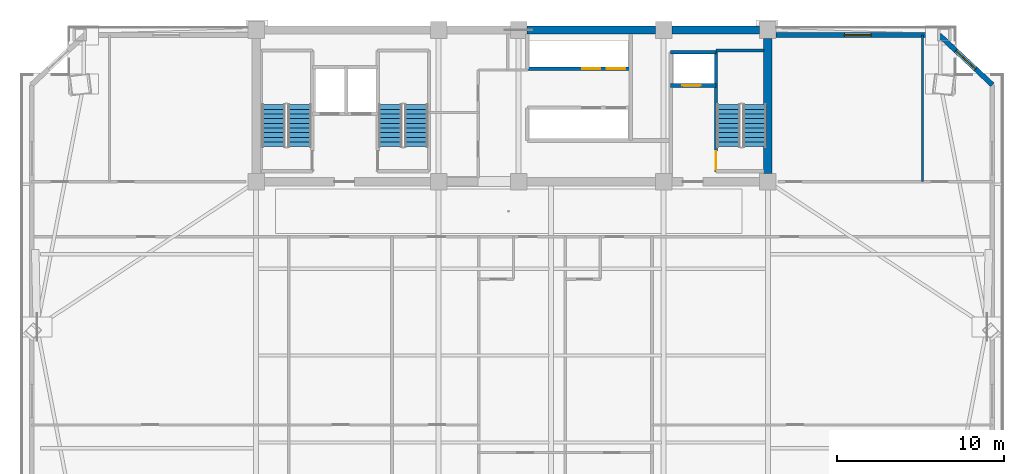
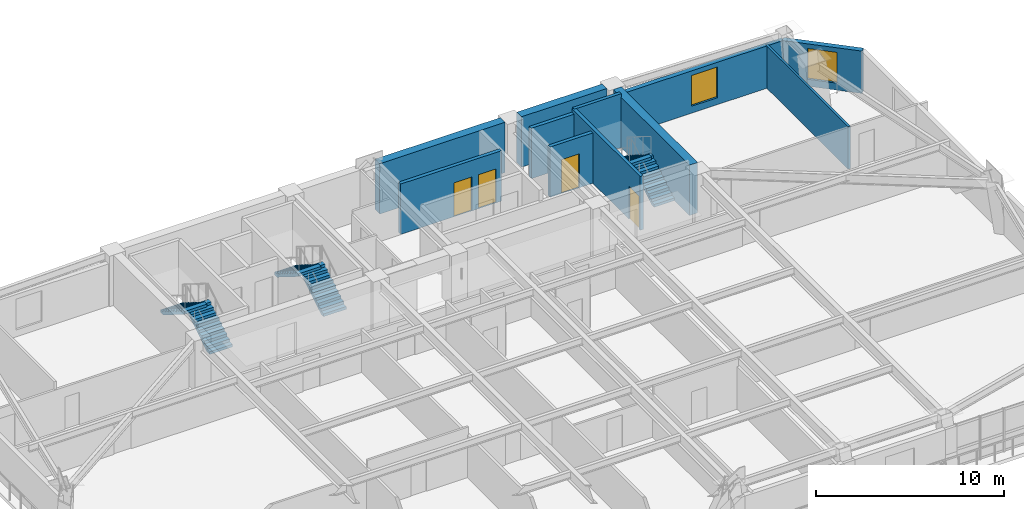
# One storey, part 10 of 16: 11 walls, 6 stair flights, 4 doors, 2 windows, 6 openings, 3 elements without a shape of their own.
"""IFC4 building model written with IfcOpenShell, lengths in metres."""

from ifc_helpers import new_model, si_unit, direction, frame, frame_2d, origin, place, context, subcontext, project, spatial, polyline, rectangle, outline, extrude, source, transform, mapped, material, layer, layer_set, type_object, element, fill, aggregate, save


model = new_model("IFC4")

# Units and contexts
model_context = context("Model", 3, precision=1e-05, world=origin(), true_north=direction((0.0, 1.0)))
body_context = subcontext(model_context, "Body", "Model", "MODEL_VIEW")
ifc_project = project(units=[si_unit("LENGTHUNIT", "METRE"), si_unit("AREAUNIT", "SQUARE_METRE"), si_unit("VOLUMEUNIT", "CUBIC_METRE"), si_unit("PLANEANGLEUNIT", "RADIAN"), si_unit("MASSUNIT", "GRAM", prefix="KILO")], contexts=[model_context])

# Site, building, storey
site_placement = place(None, origin())
site = spatial("IfcSite", under=ifc_project, at=site_placement, CompositionType="ELEMENT")
building_placement = place(site_placement, origin())
building = spatial("IfcBuilding", under=site, at=building_placement, Name="Giltprow Tower", CompositionType="ELEMENT")
storey_placement = place(building_placement, frame((0.0, 0.0, 199.199951171875)))
storey = spatial("IfcBuildingStorey", under=building, at=storey_placement, Name="L50", CompositionType="ELEMENT", Elevation=199.199951171875)

# Wall, opening, window
ifc_material_1 = material(Name="Precast concrete C40", Category="concrete")
ifc_layer_1 = layer(ifc_material_1, 0.300048828125, Name="Precast concrete C40")
ifc_layer_set_1 = layer_set([ifc_layer_1], Name="Precast concrete C40")
wall_type_1 = type_object("IfcWallType", Name="EW-NOTCH-CHAMFER-300", PredefinedType="SOLIDWALL", material=ifc_layer_set_1)
wall_1_placement = place(storey_placement, frame((64.011962890625, 43.264892578125, 0.0), z_axis=(0.0, 0.0, 1.0), x_axis=(-0.729638355144, 0.683833218484, 0.0)))
wall_1 = element("IfcWall", 1, at=wall_1_placement, inside=storey, type_object=wall_type_1, Name="L50 Corner Notch Wall NE", PredefinedType="SOLIDWALL", context=body_context, shape_type="SweptSolid", body=[
    extrude(rectangle(XDim=4.365234375, YDim=0.300048828125, at=frame_2d((2.1826171875, 0.0))), origin(), (0.0, 0.0, 1.0), 2.75),
])
opening_1_placement = place(wall_1_placement, frame((1.383056640625, 0.0, 0.449951171875)))
opening_1 = element("IfcOpeningElement", 2, at=opening_1_placement, cuts=wall_1, Name="Opening WN17", PredefinedType="OPENING", context=body_context, shape_type="SweptSolid", body=[
    extrude(rectangle(XDim=1.60009765625, YDim=2.0, at=frame_2d((0.800048828125, 1.0))), frame((0.0, 0.159912109375, 0.0), z_axis=(0.0, -1.0, 0.0), x_axis=(1.0, 0.0, 0.0)), (0.0, 0.0, 1.0), 0.320068359375),
])
ifc_material_2 = material(Name="Insulated glass", Category="glass")
window_type = type_object("IfcWindowType", Name="WN-COR-1600x2000", PartitioningType="SINGLE_PANEL", PredefinedType="WINDOW", material=ifc_material_2)
shared_shape_1 = source(origin(), body_context, "Body", "SweptSolid", [
    extrude(rectangle(XDim=1.60009765625, YDim=2.0, at=frame_2d((0.800048828125, 1.0))), frame((0.0, 0.030029296875, 0.0), z_axis=(0.0, -1.0, 0.0), x_axis=(1.0, 0.0, 0.0)), (0.0, 0.0, 1.0), 0.06005859375),
])
window_1_placement = place(opening_1_placement, origin())
window_1 = element("IfcWindow", 3, at=window_1_placement, inside=storey, type_object=window_type, Name="L50 Corner Notch Window NE", OverallHeight=2.0, OverallWidth=1.60009765625, PartitioningType="SINGLE_PANEL", PredefinedType="WINDOW", context=body_context, shape_type="MappedRepresentation", body=[
    mapped(shared_shape_1, transform((0.0, 0.0, 0.0), x_axis=(1.0, 0.0, 0.0), y_axis=(0.0, 1.0, 0.0), z_axis=(0.0, 0.0, 1.0), scale=1.0)),
])
fill(opening_1, window_1)

ifc_layer_2 = layer(ifc_material_1, 0.280029296875, Name="Precast concrete C40")
ifc_layer_set_2 = layer_set([ifc_layer_2], Name="Precast concrete C40")
wall_type_2 = type_object("IfcWallType", Name="EW-TOW-BRONZE-280", PredefinedType="SOLIDWALL", material=ifc_layer_set_2)
wall_2_placement = place(storey_placement, frame((51.050048828125, 46.25, 0.0), z_axis=(0.0, 0.0, 1.0), x_axis=(1.0, 0.0, 0.0)))
wall_2 = element("IfcWall", 4, at=wall_2_placement, inside=storey, type_object=wall_type_2, Name="L50 North-East Wing Wall", PredefinedType="SOLIDWALL", context=body_context, shape_type="SweptSolid", body=[
    extrude(rectangle(XDim=9.77685546875, YDim=0.280029296875, at=frame_2d((4.888427734375, 0.0))), origin(), (0.0, 0.0, 1.0), 2.75),
])
opening_2_placement = place(wall_2_placement, frame((4.089111328125, 0.0, 0.449951171875)))
opening_2 = element("IfcOpeningElement", 5, at=opening_2_placement, cuts=wall_2, Name="Opening WN17", PredefinedType="OPENING", context=body_context, shape_type="SweptSolid", body=[
    extrude(rectangle(XDim=1.60009765625, YDim=2.0, at=frame_2d((0.800048828125, 1.0))), frame((0.0, 0.14990234375, 0.0), z_axis=(0.0, -1.0, 0.0), x_axis=(1.0, 0.0, 0.0)), (0.0, 0.0, 1.0), 0.300048828125),
])
window_2_placement = place(opening_2_placement, origin())
window_2 = element("IfcWindow", 6, at=window_2_placement, inside=storey, type_object=window_type, Name="L50 North-East Window", OverallHeight=2.0, OverallWidth=1.60009765625, PartitioningType="SINGLE_PANEL", PredefinedType="WINDOW", context=body_context, shape_type="MappedRepresentation", body=[
    mapped(shared_shape_1, transform((0.0, 0.0, 0.0), x_axis=(1.0, 0.0, 0.0), y_axis=(0.0, 1.0, 0.0), z_axis=(0.0, 0.0, 1.0), scale=1.0)),
])
fill(opening_2, window_2)

# Wall, opening, door
ifc_material_3 = material(Name="Concrete C40", Category="concrete")
ifc_layer_3 = layer(ifc_material_3, 0.219970703125, Name="Concrete C40")
ifc_layer_set_3 = layer_set([ifc_layer_3], Name="Concrete C40")
wall_type_3 = type_object("IfcWallType", Name="IW-SHAFT-220", PredefinedType="SOLIDWALL", material=ifc_layer_set_3)
wall_3_placement = place(storey_placement, frame((44.719970703125, 43.219970703125, 0.0), z_axis=(0.0, 0.0, 1.0), x_axis=(1.0, 0.0, 0.0)))
wall_3 = element("IfcWall", 7, at=wall_3_placement, inside=storey, type_object=wall_type_3, Name="L50 FFL2 Front Shaft Wall", PredefinedType="SOLIDWALL", context=body_context, shape_type="SweptSolid", body=[
    extrude(rectangle(XDim=2.719970703125, YDim=0.219970703125, at=frame_2d((1.35986328125, 0.0))), origin(), (0.0, 0.0, 1.0), 3.27001953125),
])
opening_3_placement = place(wall_3_placement, frame((0.699951171875, 0.0, 0.0)))
opening_3 = element("IfcOpeningElement", 8, at=opening_3_placement, cuts=wall_3, Name="Opening LD-11", PredefinedType="OPENING", context=body_context, shape_type="SweptSolid", body=[
    extrude(rectangle(XDim=1.10009765625, YDim=2.199951171875, at=frame_2d((0.550048828125, 1.10009765625))), frame((0.0, 0.119873046875, 0.0), z_axis=(0.0, -1.0, 0.0), x_axis=(1.0, 0.0, 0.0)), (0.0, 0.0, 1.0), 0.239990234375),
])
ifc_material_4 = material(Name="Stainless steel", Category="steel")
door_type_1 = type_object("IfcDoorType", Name="DR-LIFT-LD1100", OperationType="SLIDING_TO_LEFT", PredefinedType="DOOR", material=ifc_material_4)
shared_shape_2 = source(origin(), body_context, "Body", "SweptSolid", [
    extrude(rectangle(XDim=1.10009765625, YDim=2.199951171875, at=frame_2d((0.550048828125, 1.10009765625))), frame((0.0, 0.02490234375, 0.0), z_axis=(0.0, -1.0, 0.0), x_axis=(1.0, 0.0, 0.0)), (0.0, 0.0, 1.0), 0.050048828125),
])
door_1_placement = place(opening_3_placement, origin())
door_1 = element("IfcDoor", 9, at=door_1_placement, inside=storey, type_object=door_type_1, Name="L50 FFL2 Landing Door", OperationType="SLIDING_TO_LEFT", OverallHeight=2.199951171875, OverallWidth=1.10009765625, PredefinedType="DOOR", context=body_context, shape_type="MappedRepresentation", body=[
    mapped(shared_shape_2, transform((0.0, 0.0, 0.0), x_axis=(1.0, 0.0, 0.0), y_axis=(0.0, 1.0, 0.0), z_axis=(0.0, 0.0, 1.0), scale=1.0)),
])
fill(opening_3, door_1)

# Wall
wall_4_placement = place(storey_placement, frame((44.719970703125, 45.219970703125, 0.0), z_axis=(0.0, 0.0, 1.0), x_axis=(1.0, 0.0, 0.0)))
element("IfcWall", 10, at=wall_4_placement, inside=storey, type_object=wall_type_3, Name="L50 FFL2 Back Shaft Wall", PredefinedType="SOLIDWALL", context=body_context, shape_type="SweptSolid", body=[
    extrude(rectangle(XDim=2.719970703125, YDim=0.219970703125, at=frame_2d((1.35986328125, 0.0))), origin(), (0.0, 0.0, 1.0), 3.27001953125),
])

# Wall, openings, doors
wall_5_placement = place(storey_placement, frame((36.1201171875, 44.219970703125, 0.0), z_axis=(0.0, 0.0, 1.0), x_axis=(1.0, 0.0, 0.0)))
wall_5 = element("IfcWall", 11, at=wall_5_placement, inside=storey, type_object=wall_type_3, Name="L50 Mid-Rise Lift Shaft Front Wall N", PredefinedType="SOLIDWALL", context=body_context, shape_type="SweptSolid", body=[
    extrude(rectangle(XDim=6.199951171875, YDim=0.219970703125, at=frame_2d((3.10009765625, 0.0))), origin(), (0.0, 0.0, 1.0), 3.27001953125),
])
opening_4_placement = place(wall_5_placement, frame((3.280029296875, 0.0, 0.0)))
opening_4 = element("IfcOpeningElement", 12, at=opening_4_placement, cuts=wall_5, Name="Opening LD-11", PredefinedType="OPENING", context=body_context, shape_type="SweptSolid", body=[
    extrude(rectangle(XDim=1.10009765625, YDim=2.199951171875, at=frame_2d((0.550048828125, 1.10009765625))), frame((0.0, 0.119873046875, 0.0), z_axis=(0.0, -1.0, 0.0), x_axis=(1.0, 0.0, 0.0)), (0.0, 0.0, 1.0), 0.239990234375),
])
opening_5_placement = place(wall_5_placement, frame((4.77001953125, 0.0, 0.0)))
opening_5 = element("IfcOpeningElement", 13, at=opening_5_placement, cuts=wall_5, Name="Opening LD-11", PredefinedType="OPENING", context=body_context, shape_type="SweptSolid", body=[
    extrude(rectangle(XDim=1.10009765625, YDim=2.199951171875, at=frame_2d((0.550048828125, 1.10009765625))), frame((0.0, 0.119873046875, 0.0), z_axis=(0.0, -1.0, 0.0), x_axis=(1.0, 0.0, 0.0)), (0.0, 0.0, 1.0), 0.239990234375),
])
door_2_placement = place(opening_4_placement, origin())
door_2 = element("IfcDoor", 14, at=door_2_placement, inside=storey, type_object=door_type_1, Name="L50 PL-M1 Landing Door", OperationType="SLIDING_TO_LEFT", OverallHeight=2.199951171875, OverallWidth=1.10009765625, PredefinedType="DOOR", context=body_context, shape_type="MappedRepresentation", body=[
    mapped(shared_shape_2, transform((0.0, 0.0, 0.0), x_axis=(1.0, 0.0, 0.0), y_axis=(0.0, 1.0, 0.0), z_axis=(0.0, 0.0, 1.0), scale=1.0)),
])
fill(opening_4, door_2)
door_3_placement = place(opening_5_placement, origin())
door_3 = element("IfcDoor", 15, at=door_3_placement, inside=storey, type_object=door_type_1, Name="L50 PL-M2 Landing Door", OperationType="SLIDING_TO_LEFT", OverallHeight=2.199951171875, OverallWidth=1.10009765625, PredefinedType="DOOR", context=body_context, shape_type="MappedRepresentation", body=[
    mapped(shared_shape_2, transform((0.0, 0.0, 0.0), x_axis=(1.0, 0.0, 0.0), y_axis=(0.0, 1.0, 0.0), z_axis=(0.0, 0.0, 1.0), scale=1.0)),
])
fill(opening_5, door_3)

# Wall, opening, door
ifc_layer_4 = layer(ifc_material_3, 0.199951171875, Name="Concrete C40")
ifc_layer_set_4 = layer_set([ifc_layer_4], Name="Concrete C40")
wall_type_4 = type_object("IfcWallType", Name="IW-STAIR-200", PredefinedType="SOLIDWALL", material=ifc_layer_set_4)
wall_6_placement = place(storey_placement, frame((47.43994140625, 38.070068359375, 0.0), z_axis=(0.0, 0.0, 1.0), x_axis=(0.0, 1.0, 0.0)))
wall_6 = element("IfcWall", 16, at=wall_6_placement, inside=storey, type_object=wall_type_4, Name="L50 Stair ST-3 West Bearing Wall", PredefinedType="SOLIDWALL", context=body_context, shape_type="SweptSolid", body=[
    extrude(rectangle(XDim=7.25, YDim=0.199951171875, at=frame_2d((3.625, 0.0))), origin(), (0.0, 0.0, 1.0), 3.5),
])
opening_6_placement = place(wall_6_placement, frame((0.110107421875, 0.0, 0.0)))
opening_6 = element("IfcOpeningElement", 17, at=opening_6_placement, cuts=wall_6, Name="Opening ID33", PredefinedType="OPENING", context=body_context, shape_type="SweptSolid", body=[
    extrude(rectangle(XDim=1.10009765625, YDim=2.14990234375, at=frame_2d((0.550048828125, 1.074951171875))), frame((0.0, 0.10986328125, 0.0), z_axis=(0.0, -1.0, 0.0), x_axis=(1.0, 0.0, 0.0)), (0.0, 0.0, 1.0), 0.219970703125),
])
ifc_material_5 = material(Name="Steel fire leaf", Category="steel")
door_type_2 = type_object("IfcDoorType", Name="DR-STAIR-1100", OperationType="SINGLE_SWING_LEFT", PredefinedType="DOOR", material=ifc_material_5)
shared_shape_3 = source(origin(), body_context, "Body", "SweptSolid", [
    extrude(rectangle(XDim=1.10009765625, YDim=2.14990234375, at=frame_2d((0.550048828125, 1.074951171875))), frame((0.0, 0.02490234375, 0.0), z_axis=(0.0, -1.0, 0.0), x_axis=(1.0, 0.0, 0.0)), (0.0, 0.0, 1.0), 0.050048828125),
])
door_4_placement = place(opening_6_placement, origin())
door_4 = element("IfcDoor", 18, at=door_4_placement, inside=storey, type_object=door_type_2, Name="L50 Stair ST-3 Fire Door", OperationType="SINGLE_SWING_RIGHT", OverallHeight=2.14990234375, OverallWidth=1.10009765625, PredefinedType="DOOR", context=body_context, shape_type="MappedRepresentation", body=[
    mapped(shared_shape_3, transform((0.0, 0.0, 0.0), x_axis=(1.0, 0.0, 0.0), y_axis=(0.0, 1.0, 0.0), z_axis=(0.0, 0.0, 1.0), scale=1.0)),
])
fill(opening_6, door_4)

# Walls
wall_7_placement = place(storey_placement, frame((47.43994140625, 45.320068359375, 0.0), z_axis=(0.0, 0.0, 1.0), x_axis=(1.0, 0.0, 0.0)))
element("IfcWall", 19, at=wall_7_placement, inside=storey, type_object=wall_type_4, Name="L50 Stair ST-3 North Bearing Wall", PredefinedType="SOLIDWALL", context=body_context, shape_type="SweptSolid", body=[
    extrude(rectangle(XDim=2.880126953125, YDim=0.199951171875, at=frame_2d((1.43994140625, 0.0))), origin(), (0.0, 0.0, 1.0), 3.5),
])
ifc_material_6 = material(Name="Concrete C30", Category="concrete")
ifc_layer_5 = layer(ifc_material_6, 0.1298828125, Name="Concrete C30")
ifc_layer_set_5 = layer_set([ifc_layer_5], Name="Concrete C30")
wall_type_5 = type_object("IfcWallType", Name="IW-WET-130", PredefinedType="PARTITIONING", material=ifc_layer_set_5)
wall_8_placement = place(storey_placement, frame((59.823974609375, 37.449951171875, 0.0), z_axis=(0.0, 0.0, 1.0), x_axis=(0.0, 1.0, 0.0)))
element("IfcWall", 20, at=wall_8_placement, inside=storey, type_object=wall_type_5, Name="L50 NE Wing Divider", PredefinedType="PARTITIONING", context=body_context, shape_type="SweptSolid", body=[
    extrude(rectangle(XDim=8.800048828125, YDim=0.1298828125, at=frame_2d((4.39990234375, 0.0))), origin(), (0.0, 0.0, 1.0), 2.755126953125),
])
ifc_material_7 = material(Name="Concrete C50", Category="concrete")
ifc_layer_6 = layer(ifc_material_7, 0.5, Name="Concrete C50")
ifc_layer_set_6 = layer_set([ifc_layer_6], Name="Concrete C50")
wall_type_6 = type_object("IfcWallType", Name="SW-EXT-500-C50", PredefinedType="SHEAR", material=ifc_layer_set_6)
wall_9_placement = place(storey_placement, frame((36.10009765625, 46.550048828125, 0.0), z_axis=(0.0, 0.0, 1.0), x_axis=(1.0, 0.0, 0.0)))
element("IfcWall", 21, at=wall_9_placement, inside=storey, type_object=wall_type_6, Name="L50 North Rear Core Shear Wall 3", PredefinedType="SHEAR", context=body_context, shape_type="SweptSolid", body=[
    extrude(rectangle(XDim=7.699951171875, YDim=0.5, at=frame_2d((3.85009765625, 0.0))), origin(), (0.0, 0.0, 1.0), 3.27001953125),
])
wall_10_placement = place(storey_placement, frame((44.800048828125, 46.550048828125, 0.0), z_axis=(0.0, 0.0, 1.0), x_axis=(1.0, 0.0, 0.0)))
element("IfcWall", 22, at=wall_10_placement, inside=storey, type_object=wall_type_6, Name="L50 North Rear Core Shear Wall 4", PredefinedType="SHEAR", context=body_context, shape_type="SweptSolid", body=[
    extrude(rectangle(XDim=5.25, YDim=0.5, at=frame_2d((2.625, 0.0))), origin(), (0.0, 0.0, 1.0), 3.27001953125),
])
ifc_layer_7 = layer(ifc_material_7, 0.5, Name="Concrete C50")
ifc_layer_set_7 = layer_set([ifc_layer_7], Name="Concrete C50")
wall_type_7 = type_object("IfcWallType", Name="SW-INT-500-C50", PredefinedType="SHEAR", material=ifc_layer_set_7)
wall_11_placement = place(storey_placement, frame((50.550048828125, 37.949951171875, 0.0), z_axis=(0.0, 0.0, 1.0), x_axis=(0.0, 1.0, 0.0)))
element("IfcWall", 23, at=wall_11_placement, inside=storey, type_object=wall_type_7, Name="L50 E Rear Core Shear Wall", PredefinedType="SHEAR", context=body_context, shape_type="SweptSolid", body=[
    extrude(rectangle(XDim=8.10009765625, YDim=0.5, at=frame_2d((4.050048828125, 0.0))), origin(), (0.0, 0.0, 1.0), 3.27001953125),
])

# Stair, stair flights
stair_type_1 = type_object("IfcStairType", Name="STR-ST-1", PredefinedType="HALF_TURN_STAIR", material=ifc_material_3)
stair_1_placement = place(storey_placement, origin())
stair_1 = element("IfcStair", 24, at=stair_1_placement, inside=storey, type_object=stair_type_1, Name="L50 Core Exit Stair ST-1", PredefinedType="HALF_TURN_STAIR")
stair_flight_type_1 = type_object("IfcStairFlightType", Name="SFL-ST-1", PredefinedType="STRAIGHT", material=ifc_material_3)
stair_flight_1_placement = place(storey_placement, frame((22.4599609375, 39.550048828125, 0.0), z_axis=(0.0, 0.0, 1.0), x_axis=(0.0, 1.0, 0.0)))
stair_flight_1 = element("IfcStairFlight", 25, at=stair_flight_1_placement, type_object=stair_flight_type_1, Name="ST-1 flight 1", NumberOfRisers=10, NumberOfTreads=9, PredefinedType="STRAIGHT", RiserHeight=0.175, TreadLength=0.28, context=body_context, shape_type="SweptSolid", body=[
    extrude(outline(polyline([(0.0, 0.0), (0.0, 0.175048828125), (0.280029296875, 0.175048828125), (0.280029296875, 0.35009765625), (0.56005859375, 0.35009765625), (0.56005859375, 0.52490234375), (0.840087890625, 0.52490234375), (0.840087890625, 0.699951171875), (1.1201171875, 0.699951171875), (1.1201171875, 0.875), (1.39990234375, 0.875), (1.39990234375, 1.050048828125), (1.679931640625, 1.050048828125), (1.679931640625, 1.22509765625), (1.9599609375, 1.22509765625), (1.9599609375, 1.39990234375), (2.239990234375, 1.39990234375), (2.239990234375, 1.574951171875), (2.52001953125, 1.574951171875), (2.52001953125, 1.75), (2.52001953125, 1.398193359375), (0.28271484375, 0.0), (0.0, 0.0)])), frame((0.0, 0.699951171875, 0.0), z_axis=(0.0, -1.0, 0.0), x_axis=(1.0, 0.0, 0.0)), (0.0, 0.0, 1.0), 1.39990234375),
])
stair_flight_2_placement = place(storey_placement, frame((20.89990234375, 42.070068359375, 1.75), z_axis=(0.0, 0.0, 1.0), x_axis=(0.0, -1.0, 0.0)))
stair_flight_2 = element("IfcStairFlight", 26, at=stair_flight_2_placement, type_object=stair_flight_type_1, Name="ST-1 flight 2", NumberOfRisers=10, NumberOfTreads=9, PredefinedType="STRAIGHT", RiserHeight=0.175, TreadLength=0.28, context=body_context, shape_type="SweptSolid", body=[
    extrude(outline(polyline([(0.0, 0.0), (0.0, 0.175048828125), (0.280029296875, 0.175048828125), (0.280029296875, 0.35009765625), (0.56005859375, 0.35009765625), (0.56005859375, 0.52490234375), (0.840087890625, 0.52490234375), (0.840087890625, 0.699951171875), (1.1201171875, 0.699951171875), (1.1201171875, 0.875), (1.39990234375, 0.875), (1.39990234375, 1.050048828125), (1.679931640625, 1.050048828125), (1.679931640625, 1.22509765625), (1.9599609375, 1.22509765625), (1.9599609375, 1.39990234375), (2.239990234375, 1.39990234375), (2.239990234375, 1.574951171875), (2.52001953125, 1.574951171875), (2.52001953125, 1.75), (2.52001953125, 1.398193359375), (0.28271484375, 0.0), (0.0, 0.0)])), frame((0.0, 0.699951171875, 0.0), z_axis=(0.0, -1.0, 0.0), x_axis=(1.0, 0.0, 0.0)), (0.0, 0.0, 1.0), 1.39990234375),
])
aggregate(stair_1, [stair_flight_1, stair_flight_2])

stair_type_2 = type_object("IfcStairType", Name="STR-ST-2", PredefinedType="HALF_TURN_STAIR", material=ifc_material_3)
stair_2_placement = place(storey_placement, origin())
stair_2 = element("IfcStair", 27, at=stair_2_placement, inside=storey, type_object=stair_type_2, Name="L50 Core Exit Stair ST-2", PredefinedType="HALF_TURN_STAIR")
stair_flight_type_2 = type_object("IfcStairFlightType", Name="SFL-ST-2", PredefinedType="STRAIGHT", material=ifc_material_3)
stair_flight_3_placement = place(storey_placement, frame((29.4599609375, 39.550048828125, 0.0), z_axis=(0.0, 0.0, 1.0), x_axis=(0.0, 1.0, 0.0)))
stair_flight_3 = element("IfcStairFlight", 28, at=stair_flight_3_placement, type_object=stair_flight_type_2, Name="ST-2 flight 1", NumberOfRisers=10, NumberOfTreads=9, PredefinedType="STRAIGHT", RiserHeight=0.175, TreadLength=0.28, context=body_context, shape_type="SweptSolid", body=[
    extrude(outline(polyline([(0.0, 0.0), (0.0, 0.175048828125), (0.280029296875, 0.175048828125), (0.280029296875, 0.35009765625), (0.56005859375, 0.35009765625), (0.56005859375, 0.52490234375), (0.840087890625, 0.52490234375), (0.840087890625, 0.699951171875), (1.1201171875, 0.699951171875), (1.1201171875, 0.875), (1.39990234375, 0.875), (1.39990234375, 1.050048828125), (1.679931640625, 1.050048828125), (1.679931640625, 1.22509765625), (1.9599609375, 1.22509765625), (1.9599609375, 1.39990234375), (2.239990234375, 1.39990234375), (2.239990234375, 1.574951171875), (2.52001953125, 1.574951171875), (2.52001953125, 1.75), (2.52001953125, 1.398193359375), (0.28271484375, 0.0), (0.0, 0.0)])), frame((0.0, 0.699951171875, 0.0), z_axis=(0.0, -1.0, 0.0), x_axis=(1.0, 0.0, 0.0)), (0.0, 0.0, 1.0), 1.39990234375),
])
stair_flight_4_placement = place(storey_placement, frame((27.89990234375, 42.070068359375, 1.75), z_axis=(0.0, 0.0, 1.0), x_axis=(0.0, -1.0, 0.0)))
stair_flight_4 = element("IfcStairFlight", 29, at=stair_flight_4_placement, type_object=stair_flight_type_2, Name="ST-2 flight 2", NumberOfRisers=10, NumberOfTreads=9, PredefinedType="STRAIGHT", RiserHeight=0.175, TreadLength=0.28, context=body_context, shape_type="SweptSolid", body=[
    extrude(outline(polyline([(0.0, 0.0), (0.0, 0.175048828125), (0.280029296875, 0.175048828125), (0.280029296875, 0.35009765625), (0.56005859375, 0.35009765625), (0.56005859375, 0.52490234375), (0.840087890625, 0.52490234375), (0.840087890625, 0.699951171875), (1.1201171875, 0.699951171875), (1.1201171875, 0.875), (1.39990234375, 0.875), (1.39990234375, 1.050048828125), (1.679931640625, 1.050048828125), (1.679931640625, 1.22509765625), (1.9599609375, 1.22509765625), (1.9599609375, 1.39990234375), (2.239990234375, 1.39990234375), (2.239990234375, 1.574951171875), (2.52001953125, 1.574951171875), (2.52001953125, 1.75), (2.52001953125, 1.398193359375), (0.28271484375, 0.0), (0.0, 0.0)])), frame((0.0, 0.699951171875, 0.0), z_axis=(0.0, -1.0, 0.0), x_axis=(1.0, 0.0, 0.0)), (0.0, 0.0, 1.0), 1.39990234375),
])
aggregate(stair_2, [stair_flight_3, stair_flight_4])

stair_type_3 = type_object("IfcStairType", Name="STR-ST-3", PredefinedType="HALF_TURN_STAIR", material=ifc_material_3)
stair_3_placement = place(storey_placement, origin())
stair_3 = element("IfcStair", 30, at=stair_3_placement, inside=storey, type_object=stair_type_3, Name="L50 Core Exit Stair ST-3", PredefinedType="HALF_TURN_STAIR")
stair_flight_type_3 = type_object("IfcStairFlightType", Name="SFL-ST-3", PredefinedType="STRAIGHT", material=ifc_material_3)
stair_flight_5_placement = place(storey_placement, frame((49.760009765625, 39.550048828125, 0.0), z_axis=(0.0, 0.0, 1.0), x_axis=(0.0, 1.0, 0.0)))
stair_flight_5 = element("IfcStairFlight", 31, at=stair_flight_5_placement, type_object=stair_flight_type_3, Name="ST-3 flight 1", NumberOfRisers=10, NumberOfTreads=9, PredefinedType="STRAIGHT", RiserHeight=0.175, TreadLength=0.28, context=body_context, shape_type="SweptSolid", body=[
    extrude(outline(polyline([(0.0, 0.0), (0.0, 0.175048828125), (0.280029296875, 0.175048828125), (0.280029296875, 0.35009765625), (0.56005859375, 0.35009765625), (0.56005859375, 0.52490234375), (0.840087890625, 0.52490234375), (0.840087890625, 0.699951171875), (1.1201171875, 0.699951171875), (1.1201171875, 0.875), (1.39990234375, 0.875), (1.39990234375, 1.050048828125), (1.679931640625, 1.050048828125), (1.679931640625, 1.22509765625), (1.9599609375, 1.22509765625), (1.9599609375, 1.39990234375), (2.239990234375, 1.39990234375), (2.239990234375, 1.574951171875), (2.52001953125, 1.574951171875), (2.52001953125, 1.75), (2.52001953125, 1.398193359375), (0.28271484375, 0.0), (0.0, 0.0)])), frame((0.0, 0.699951171875, 0.0), z_axis=(0.0, -1.0, 0.0), x_axis=(1.0, 0.0, 0.0)), (0.0, 0.0, 1.0), 1.39990234375),
])
stair_flight_6_placement = place(storey_placement, frame((48.199951171875, 42.070068359375, 1.75), z_axis=(0.0, 0.0, 1.0), x_axis=(0.0, -1.0, 0.0)))
stair_flight_6 = element("IfcStairFlight", 32, at=stair_flight_6_placement, type_object=stair_flight_type_3, Name="ST-3 flight 2", NumberOfRisers=10, NumberOfTreads=9, PredefinedType="STRAIGHT", RiserHeight=0.175, TreadLength=0.28, context=body_context, shape_type="SweptSolid", body=[
    extrude(outline(polyline([(0.0, 0.0), (0.0, 0.175048828125), (0.280029296875, 0.175048828125), (0.280029296875, 0.35009765625), (0.56005859375, 0.35009765625), (0.56005859375, 0.52490234375), (0.840087890625, 0.52490234375), (0.840087890625, 0.699951171875), (1.1201171875, 0.699951171875), (1.1201171875, 0.875), (1.39990234375, 0.875), (1.39990234375, 1.050048828125), (1.679931640625, 1.050048828125), (1.679931640625, 1.22509765625), (1.9599609375, 1.22509765625), (1.9599609375, 1.39990234375), (2.239990234375, 1.39990234375), (2.239990234375, 1.574951171875), (2.52001953125, 1.574951171875), (2.52001953125, 1.75), (2.52001953125, 1.398193359375), (0.28271484375, 0.0), (0.0, 0.0)])), frame((0.0, 0.699951171875, 0.0), z_axis=(0.0, -1.0, 0.0), x_axis=(1.0, 0.0, 0.0)), (0.0, 0.0, 1.0), 1.39990234375),
])
aggregate(stair_3, [stair_flight_5, stair_flight_6])

save(model, "model.ifc")
